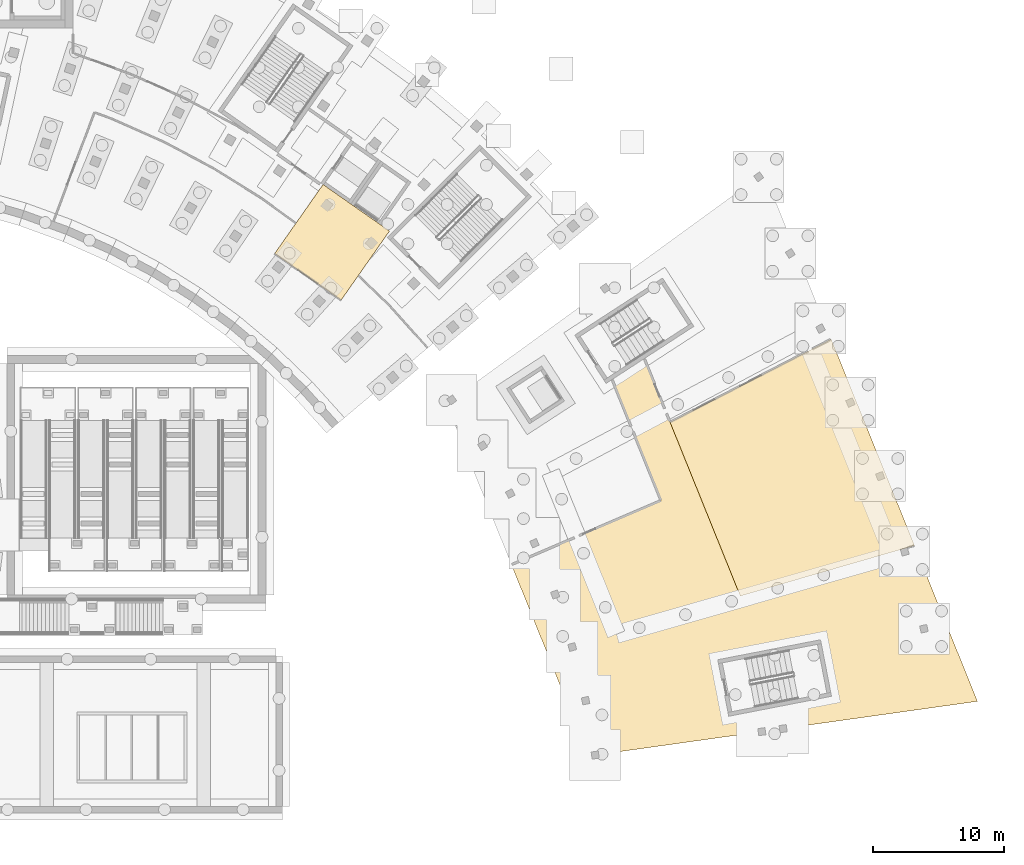
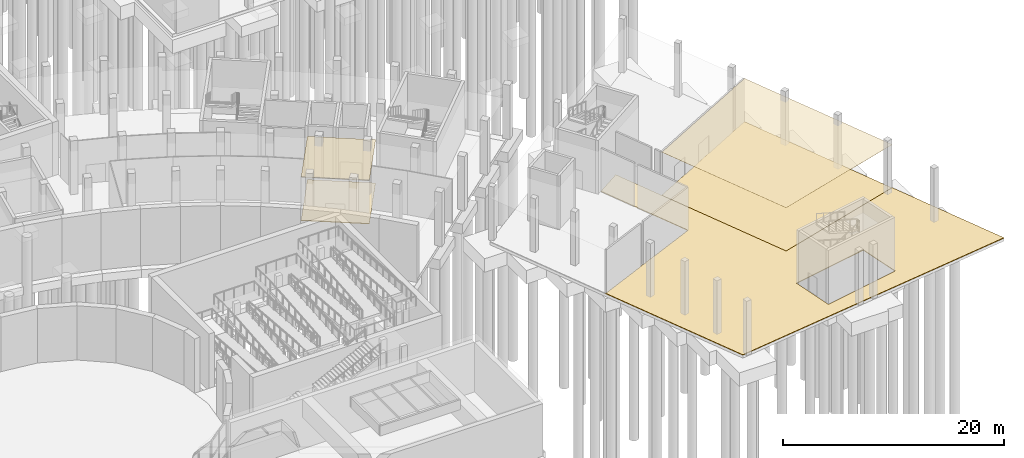
# One storey, part 57 of 66: 5 coverings.
"""IFC4 building model written with IfcOpenShell, lengths in metres."""

from ifc_helpers import new_model, si_unit, direction, frame, origin, place, context, subcontext, project, spatial, polyline, outline, extrude, material, layer, layer_set, type_object, element, save


model = new_model("IFC4")

# Units and contexts
model_context = context("Model", 3, precision=1e-05, world=origin(), true_north=direction((0.0, 1.0)))
body_context = subcontext(model_context, "Body", "Model", "MODEL_VIEW")
ifc_project = project(units=[si_unit("LENGTHUNIT", "METRE"), si_unit("AREAUNIT", "SQUARE_METRE"), si_unit("VOLUMEUNIT", "CUBIC_METRE"), si_unit("PLANEANGLEUNIT", "RADIAN"), si_unit("MASSUNIT", "GRAM", prefix="KILO")], contexts=[model_context])

# Site, building, storey
site_placement = place(None, origin())
site = spatial("IfcSite", under=ifc_project, at=site_placement, CompositionType="ELEMENT")
building_placement = place(site_placement, origin())
building = spatial("IfcBuilding", under=site, at=building_placement, Name="Lunette Opera House", CompositionType="ELEMENT")
storey_placement = place(building_placement, frame((0.0, 0.0, -6.0)))
storey = spatial("IfcBuildingStorey", under=building, at=storey_placement, Name="B1", CompositionType="ELEMENT", Elevation=-6.0)

# Coverings
ifc_material_1 = material(Name="Cement screed")
ifc_layer_1 = layer(ifc_material_1, 0.070068359375)
ifc_layer_set_1 = layer_set([ifc_layer_1], Name="Cement screed")
covering_type_1 = type_object("IfcCoveringType", Name="SCREED FLOOR FINISH 70", PredefinedType="FLOORING", material=ifc_layer_set_1)
covering_1_placement = place(storey_placement, origin())
element("IfcCovering", 1, at=covering_1_placement, inside=storey, type_object=covering_type_1, Name="Floor finish Studio Service Corridor", PredefinedType="FLOORING", context=body_context, shape_type="SweptSolid", body=[
    extrude(outline(polyline([(157.202880859375, 37.1220703125), (159.6669921875, 38.721923828125), (167.0, 20.572998046875), (180.31396484375, 24.431884765625), (185.1240234375, 12.52587890625), (171.050048828125, 10.548095703125), (168.10693359375, 10.134033203125), (155.416015625, 8.35009765625), (149.509033203125, 22.969970703125), (160.93798828125, 27.8759765625), (157.202880859375, 37.1220703125)]), holes=[polyline([(173.968017578125, 12.9140625), (173.12890625, 17.23291015625), (168.697021484375, 16.3720703125), (166.339111328125, 15.9130859375), (165.81298828125, 15.81103515625), (165.27587890625, 15.70703125), (166.114990234375, 11.387939453125), (167.491943359375, 11.656005859375), (169.2890625, 12.0048828125), (170.3759765625, 12.216064453125), (173.968017578125, 12.9140625)])]), origin(), (0.0, 0.0, 1.0), 0.070068359375),
])
ifc_material_2 = material(Name="Mineral fibre board")
ifc_layer_2 = layer(ifc_material_2, 0.014892578125)
ifc_layer_set_2 = layer_set([ifc_layer_2], Name="Mineral fibre board")
covering_type_2 = type_object("IfcCoveringType", Name="SUSPENDED ACOUSTIC CEILING 15", PredefinedType="CEILING", material=ifc_layer_set_2)
covering_2_placement = place(storey_placement, frame((0.0, 0.0, 4.81494140625)))
element("IfcCovering", 2, at=covering_2_placement, inside=storey, type_object=covering_type_2, Name="Ceiling Open Lift Lobby B1 East", PredefinedType="CEILING", context=body_context, shape_type="SweptSolid", body=[
    extrude(outline(polyline([(131.4140625, 46.739990234375), (136.491943359375, 43.18408203125), (140.19189453125, 48.468017578125), (135.113037109375, 52.02392578125), (131.4140625, 46.739990234375)])), origin(), (0.0, 0.0, 1.0), 0.01513671875),
])
covering_3_placement = place(storey_placement, frame((0.0, 0.0, 4.81494140625)))
element("IfcCovering", 3, at=covering_3_placement, inside=storey, type_object=covering_type_2, Name="Ceiling Studio Dressing Rooms Lower", PredefinedType="CEILING", context=body_context, shape_type="SweptSolid", body=[
    extrude(outline(polyline([(161.635009765625, 33.85107421875), (173.943115234375, 40.199951171875), (180.31396484375, 24.431884765625), (166.9990234375, 20.572998046875), (161.635009765625, 33.85107421875)])), origin(), (0.0, 0.0, 1.0), 0.01513671875),
])
ifc_material_3 = material(Name="Terrazzo")
ifc_layer_3 = layer(ifc_material_3, 0.06005859375)
ifc_layer_set_3 = layer_set([ifc_layer_3], Name="Terrazzo")
covering_type_3 = type_object("IfcCoveringType", Name="TERRAZZO FLOOR FINISH 60", PredefinedType="FLOORING", material=ifc_layer_set_3)
covering_4_placement = place(storey_placement, origin())
element("IfcCovering", 4, at=covering_4_placement, inside=storey, type_object=covering_type_3, Name="Floor finish Open Lift Lobby B1 East", PredefinedType="FLOORING", context=body_context, shape_type="SweptSolid", body=[
    extrude(outline(polyline([(131.4140625, 46.739990234375), (136.491943359375, 43.18408203125), (140.19189453125, 48.468017578125), (135.113037109375, 52.02392578125), (131.4140625, 46.739990234375)])), origin(), (0.0, 0.0, 1.0), 0.06005859375),
])
ifc_material_4 = material(Name="Timber", Category="wood")
ifc_layer_4 = layer(ifc_material_4, 0.0400390625)
ifc_layer_set_4 = layer_set([ifc_layer_4], Name="Timber")
covering_type_4 = type_object("IfcCoveringType", Name="TIMBER FLOOR FINISH 40", PredefinedType="FLOORING", material=ifc_layer_set_4)
covering_5_placement = place(storey_placement, origin())
element("IfcCovering", 5, at=covering_5_placement, inside=storey, type_object=covering_type_4, Name="Floor finish Studio Dressing Rooms Lower", PredefinedType="FLOORING", context=body_context, shape_type="SweptSolid", body=[
    extrude(outline(polyline([(161.635009765625, 33.85107421875), (173.943115234375, 40.199951171875), (180.31396484375, 24.431884765625), (166.9990234375, 20.572998046875), (161.635009765625, 33.85107421875)])), origin(), (0.0, 0.0, 1.0), 0.0400390625),
])

save(model, "model.ifc")
